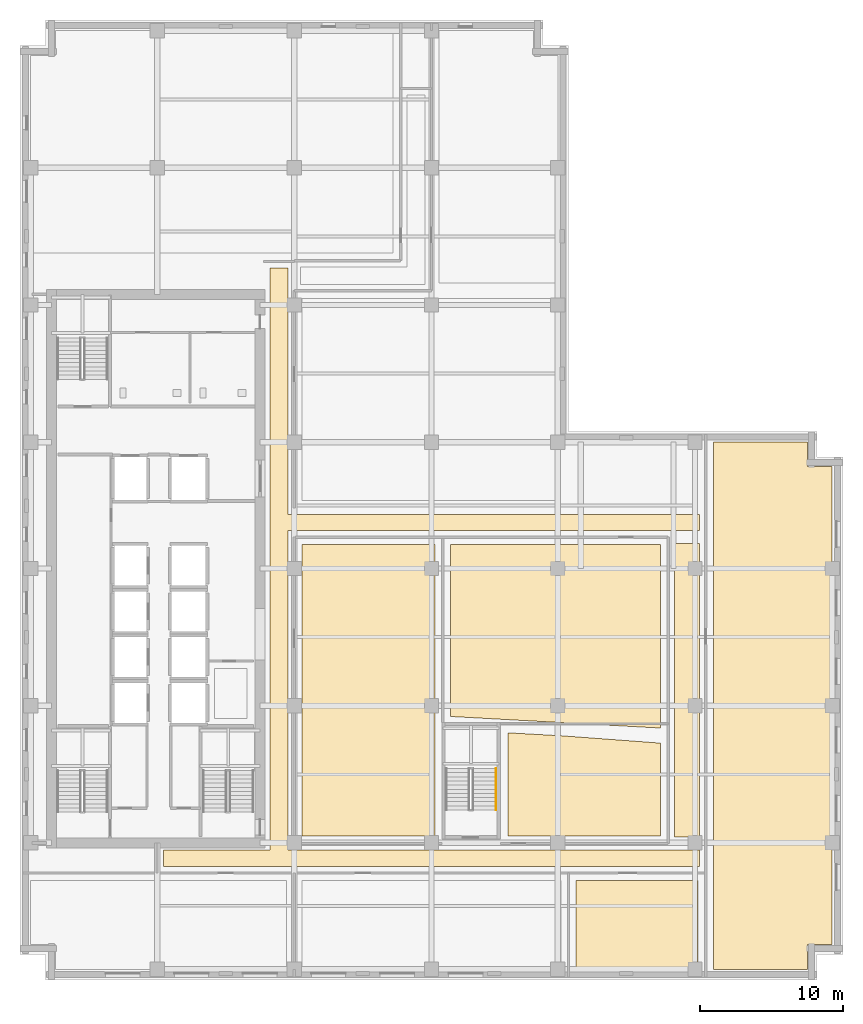
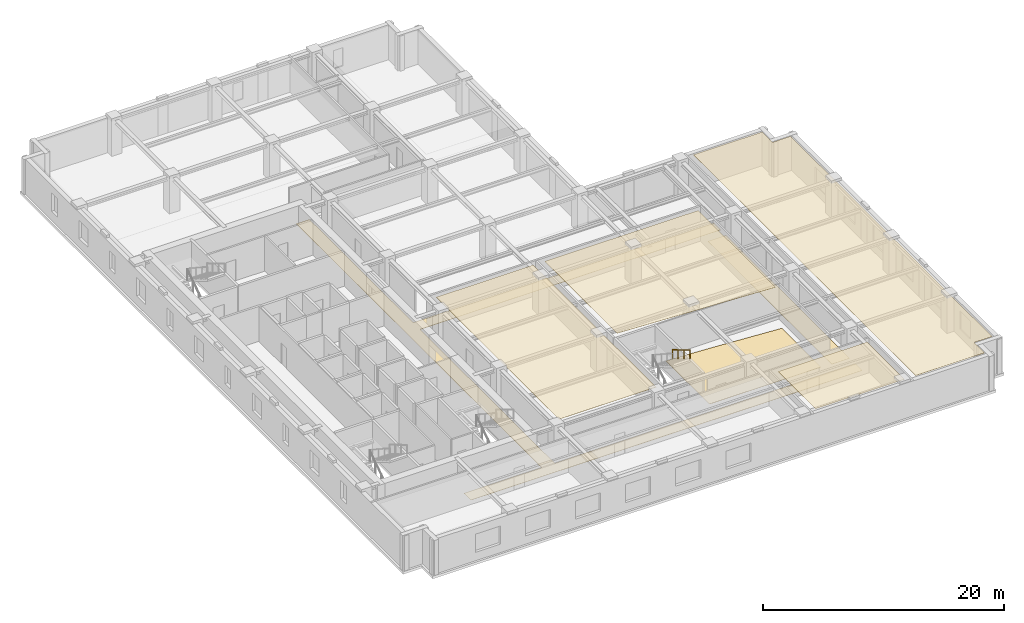
# One storey, part 9 of 12: 7 coverings, 1 railing.
"""IFC4 building model written with IfcOpenShell, lengths in metres."""

from ifc_helpers import new_model, si_unit, direction, frame, origin, origin_2d, place, context, subcontext, project, spatial, polyline, circle, outline, extrude, material, layer, layer_set, type_object, element, save


model = new_model("IFC4")

# Units and contexts
model_context = context("Model", 3, precision=1e-05, world=origin(), true_north=direction((0.0, 1.0)))
body_context = subcontext(model_context, "Body", "Model", "MODEL_VIEW")
ifc_project = project(units=[si_unit("LENGTHUNIT", "METRE"), si_unit("AREAUNIT", "SQUARE_METRE"), si_unit("VOLUMEUNIT", "CUBIC_METRE"), si_unit("PLANEANGLEUNIT", "RADIAN"), si_unit("MASSUNIT", "GRAM", prefix="KILO")], contexts=[model_context])

# Site, building, storey
site_placement = place(None, origin())
site = spatial("IfcSite", under=ifc_project, at=site_placement, CompositionType="ELEMENT")
building_placement = place(site_placement, origin())
building = spatial("IfcBuilding", under=site, at=building_placement, Name="Norrvale University Quadrangle", CompositionType="ELEMENT")
storey_placement = place(building_placement, frame((0.0, 0.0, 109.0)))
storey = spatial("IfcBuildingStorey", under=building, at=storey_placement, Name="L27", CompositionType="ELEMENT", Elevation=109.0)

# Coverings
ifc_material_1 = material(Name="Perforated Acoustic Mineral Ceiling")
ifc_layer_1 = layer(ifc_material_1, 0.02490234375, Name="Perforated Acoustic Mineral Ceiling")
ifc_layer_set_1 = layer_set([ifc_layer_1], Name="Perforated Acoustic Mineral Ceiling")
covering_type_1 = type_object("IfcCoveringType", Name="Covering Acoustic Ceiling 25", PredefinedType="CEILING", material=ifc_layer_set_1)
covering_1_placement = place(storey_placement, frame((0.0, 0.0, 3.514892578125)))
element("IfcCovering", 1, at=covering_1_placement, inside=storey, type_object=covering_type_1, Name="Acoustic Ceiling RM-L27-S03", PredefinedType="CEILING", context=body_context, shape_type="SweptSolid", body=[
    extrude(outline(polyline([(38.929931640625, 6.969970703125), (47.469970703125, 6.969970703125), (47.469970703125, 0.75), (38.929931640625, 0.75), (38.929931640625, 6.969970703125)])), origin(), (0.0, 0.0, 1.0), 0.025146484375),
])
covering_2_placement = place(storey_placement, frame((0.0, 0.0, 3.514892578125)))
element("IfcCovering", 2, at=covering_2_placement, inside=storey, type_object=covering_type_1, Name="Acoustic Ceiling RM-L27-E01", PredefinedType="CEILING", context=body_context, shape_type="SweptSolid", body=[
    extrude(outline(polyline([(48.530029296875, 0.75), (48.530029296875, 37.64990234375), (55.1298828125, 37.64990234375), (55.1298828125, 35.929931640625), (56.85009765625, 35.929931640625), (56.85009765625, 2.469970703125), (55.1298828125, 2.469970703125), (55.1298828125, 0.75), (48.530029296875, 0.75)])), origin(), (0.0, 0.0, 1.0), 0.025146484375),
])
covering_3_placement = place(storey_placement, frame((0.0, 0.0, 3.514892578125)))
element("IfcCovering", 3, at=covering_3_placement, inside=storey, type_object=covering_type_1, Name="Acoustic Ceiling RM-L27-IW1", PredefinedType="CEILING", context=body_context, shape_type="SweptSolid", body=[
    extrude(outline(polyline([(19.72998046875, 10.080078125), (19.72998046875, 30.469970703125), (29.050048828125, 30.469970703125), (29.050048828125, 10.080078125), (19.72998046875, 10.080078125)])), origin(), (0.0, 0.0, 1.0), 0.025146484375),
])
covering_4_placement = place(storey_placement, frame((0.0, 0.0, 3.514892578125)))
element("IfcCovering", 4, at=covering_4_placement, inside=storey, type_object=covering_type_1, Name="Acoustic Ceiling RM-L27-ILH", PredefinedType="CEILING", context=body_context, shape_type="SweptSolid", body=[
    extrude(outline(polyline([(30.1298828125, 18.446044921875), (30.1298828125, 30.469970703125), (44.844970703125, 30.469970703125), (44.844970703125, 17.635009765625), (30.1298828125, 18.446044921875)])), origin(), (0.0, 0.0, 1.0), 0.025146484375),
])
ifc_material_2 = material(Name="Polished Terrazzo Flooring")
ifc_layer_2 = layer(ifc_material_2, 0.02490234375, Name="Polished Terrazzo Flooring")
ifc_layer_set_2 = layer_set([ifc_layer_2], Name="Polished Terrazzo Flooring")
covering_type_2 = type_object("IfcCoveringType", Name="Covering Terrazzo Floor 30", PredefinedType="FLOORING", material=ifc_layer_set_2)
covering_5_placement = place(storey_placement, origin())
element("IfcCovering", 5, at=covering_5_placement, inside=storey, type_object=covering_type_2, Name="Terrazzo Flooring RM-L27-CORR1", PredefinedType="FLOORING", context=body_context, shape_type="SweptSolid", body=[
    extrude(outline(polyline([(10.050048828125, 7.949951171875), (10.050048828125, 9.10009765625), (17.5, 9.10009765625), (17.5, 49.85009765625), (18.75, 49.85009765625), (18.75, 32.60009765625), (47.550048828125, 32.60009765625), (47.550048828125, 31.449951171875), (18.75, 31.449951171875), (18.75, 9.10009765625), (47.550048828125, 9.10009765625), (47.550048828125, 7.949951171875), (10.050048828125, 7.949951171875)])), origin(), (0.0, 0.0, 1.0), 0.02490234375),
])
covering_6_placement = place(storey_placement, origin())
element("IfcCovering", 6, at=covering_6_placement, inside=storey, type_object=covering_type_2, Name="Terrazzo Flooring RM-L27-CORR2", PredefinedType="FLOORING", context=body_context, shape_type="SweptSolid", body=[
    extrude(outline(polyline([(45.824951171875, 10.0), (45.824951171875, 30.550048828125), (47.550048828125, 30.550048828125), (47.550048828125, 10.0), (45.824951171875, 10.0)])), origin(), (0.0, 0.0, 1.0), 0.02490234375),
])
covering_7_placement = place(storey_placement, origin())
element("IfcCovering", 7, at=covering_7_placement, inside=storey, type_object=covering_type_2, Name="Terrazzo Flooring RM-L27-ISE", PredefinedType="FLOORING", context=body_context, shape_type="SweptSolid", body=[
    extrude(outline(polyline([(44.844970703125, 16.58203125), (44.844970703125, 10.080078125), (34.14990234375, 10.080078125), (34.14990234375, 17.303955078125), (37.93603515625, 17.094970703125), (44.844970703125, 16.58203125)])), origin(), (0.0, 0.0, 1.0), 0.02490234375),
])

# Railing
ifc_material_3 = material(Name="Stainless Steel 316L Handrail", Category="steel")
railing_type = type_object("IfcRailingType", Name="Railing Stair Handrail 920", PredefinedType="HANDRAIL", material=ifc_material_3)
railing_placement = place(storey_placement, frame((33.31005859375, 14.800048828125, 2.07275390625)))
element("IfcRailing", 8, at=railing_placement, inside=storey, type_object=railing_type, Name="Stair Upper Flight Handrail ST-04 L27", PredefinedType="HANDRAIL", context=body_context, shape_type="SweptSolid", body=[
    extrude(circle(Radius=0.02392578125, at=origin_2d()), frame((0.0, 0.0, 0.89599609375), z_axis=(0.0, -0.859160404282, 0.51170636083), x_axis=(1.0, 0.0, 0.0)), (0.0, 0.0, 1.0), 3.37548828125),
    extrude(circle(Radius=0.02099609375, at=origin_2d()), origin(), (0.0, 0.0, 1.0), 0.871826171875),
    extrude(circle(Radius=0.02099609375, at=origin_2d()), frame((0.0, -0.966796875, 0.57568359375)), (0.0, 0.0, 1.0), 0.871826171875),
    extrude(circle(Radius=0.02099609375, at=origin_2d()), frame((0.0, -1.933349609375, 1.151611328125)), (0.0, 0.0, 1.0), 0.871826171875),
    extrude(circle(Radius=0.02099609375, at=origin_2d()), frame((0.0, -2.900146484375, 1.727294921875)), (0.0, 0.0, 1.0), 0.871826171875),
])

save(model, "model.ifc")
